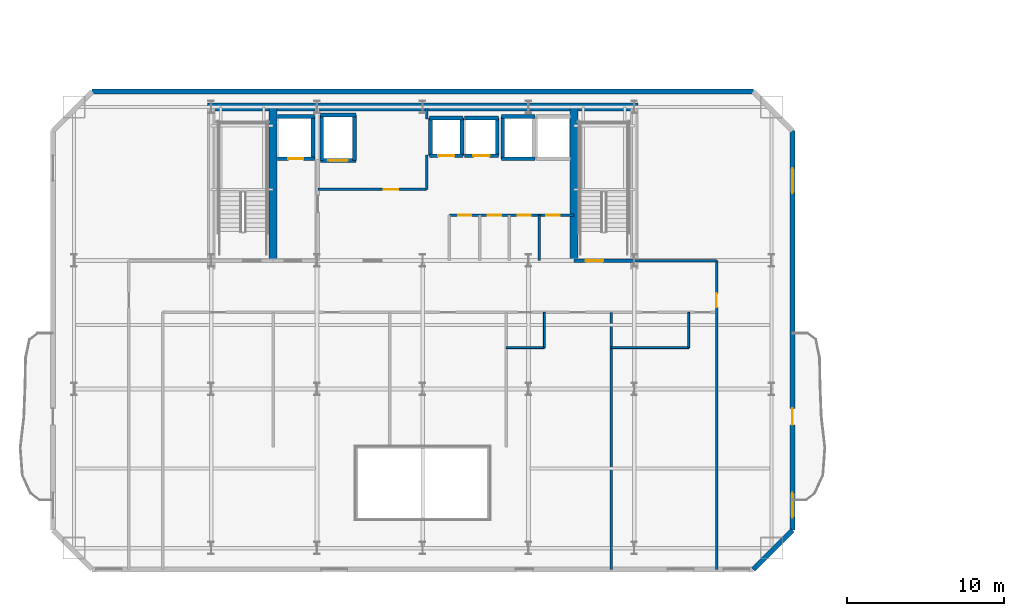
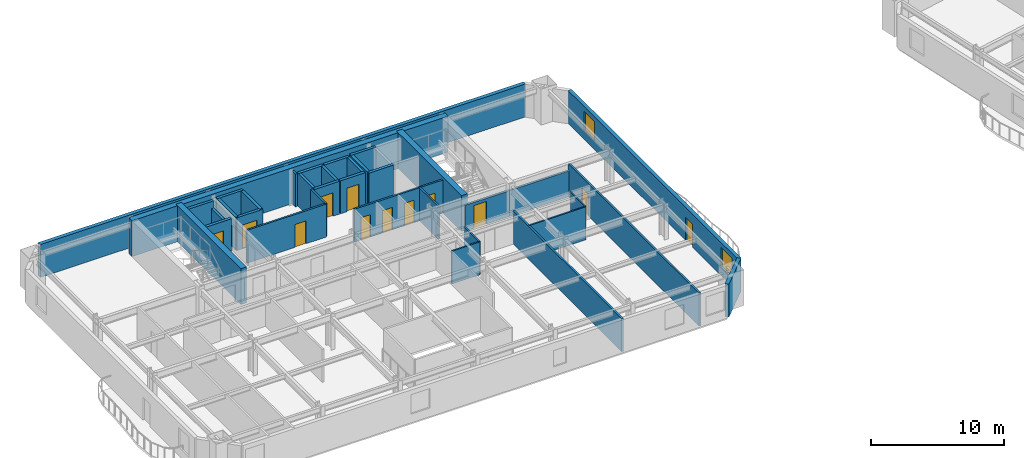
# One storey, part 6 of 13: 36 walls, 12 doors, 2 windows, 14 openings.
"""IFC4 building model written with IfcOpenShell, lengths in metres."""

from ifc_helpers import new_model, si_unit, direction, frame, frame_2d, origin, place, context, subcontext, project, spatial, rectangle, extrude, material, layer, layer_set, type_object, element, fill, save


model = new_model("IFC4")

# Units and contexts
model_context = context("Model", 3, precision=1e-05, world=origin(), true_north=direction((0.0, 1.0)))
body_context = subcontext(model_context, "Body", "Model", "MODEL_VIEW")
ifc_project = project(units=[si_unit("LENGTHUNIT", "METRE"), si_unit("AREAUNIT", "SQUARE_METRE"), si_unit("VOLUMEUNIT", "CUBIC_METRE"), si_unit("PLANEANGLEUNIT", "RADIAN"), si_unit("MASSUNIT", "GRAM", prefix="KILO")], contexts=[model_context])

# Site, building, storey
site_placement = place(None, origin())
site = spatial("IfcSite", under=ifc_project, at=site_placement, CompositionType="ELEMENT")
building_placement = place(site_placement, origin())
building = spatial("IfcBuilding", under=site, at=building_placement, Name="Haevon Station Towers", CompositionType="ELEMENT")
storey_placement = place(building_placement, frame((0.0, 0.0, 96.60009765625)))
storey = spatial("IfcBuildingStorey", under=building, at=storey_placement, Name="L25", CompositionType="ELEMENT", Elevation=96.60009765625)

# Wall
ifc_material_1 = material(Name="Gypsum board on steel stud", Category="steel")
ifc_layer_1 = layer(ifc_material_1, 0.179931640625)
ifc_layer_set_1 = layer_set([ifc_layer_1], Name="Gypsum board on steel stud")
wall_type_1 = type_object("IfcWallType", Name="WL-ACU180", PredefinedType="PARTITIONING", material=ifc_layer_set_1)
wall_1_placement = place(storey_placement, frame((51.0, 38.199951171875, 0.0), z_axis=(0.0, 0.0, 1.0), x_axis=(1.0, 0.0, 0.0)))
element("IfcWall", 1, at=wall_1_placement, inside=storey, type_object=wall_type_1, Name="WL-T1PT-L25-03", PredefinedType="PARTITIONING", context=body_context, shape_type="SweptSolid", body=[
    extrude(rectangle(XDim=5.25, YDim=0.179931640625, at=frame_2d((2.625, 0.0))), origin(), (0.0, 0.0, 1.0), 2.3798828125),
])

# Wall, opening, door
ifc_layer_2 = layer(ifc_material_1, 0.199951171875)
ifc_layer_set_2 = layer_set([ifc_layer_2], Name="Gypsum board on steel stud")
wall_type_2 = type_object("IfcWallType", Name="WL-COR200", PredefinedType="PARTITIONING", material=ifc_layer_set_2)
wall_2_placement = place(storey_placement, frame((47.14990234375, 38.199951171875, 0.0), z_axis=(0.0, 0.0, 1.0), x_axis=(1.0, 0.0, 0.0)))
wall_2 = element("IfcWall", 2, at=wall_2_placement, inside=storey, type_object=wall_type_2, Name="WL-ST-ST2-L25", PredefinedType="PARTITIONING", context=body_context, shape_type="SweptSolid", body=[
    extrude(rectangle(XDim=3.85009765625, YDim=0.199951171875, at=frame_2d((1.925048828125, 0.0))), origin(), (0.0, 0.0, 1.0), 2.3798828125),
])
opening_1_placement = place(wall_2_placement, frame((0.75, 0.0, 0.0)))
opening_1 = element("IfcOpeningElement", 3, at=opening_1_placement, cuts=wall_2, Name="Opening DR-ST-ST2-L25", PredefinedType="OPENING", context=body_context, shape_type="SweptSolid", body=[
    extrude(rectangle(XDim=1.1201171875, YDim=2.10009765625, at=frame_2d((0.56005859375, 1.050048828125))), frame((0.0, 0.10986328125, 0.0), z_axis=(0.0, -1.0, 0.0), x_axis=(1.0, 0.0, 0.0)), (0.0, 0.0, 1.0), 0.219970703125),
])
ifc_material_2 = material(Name="Engineered oak timber", Category="wood")
door_type_1 = type_object("IfcDoorType", Name="DR-ST-1120", OperationType="NOTDEFINED", PredefinedType="DOOR", material=ifc_material_2)
door_1_placement = place(opening_1_placement, origin())
door_1 = element("IfcDoor", 4, at=door_1_placement, inside=storey, type_object=door_type_1, Name="L25 Escape Stair ST2 Fire Door", OperationType="SINGLE_SWING_RIGHT", OverallHeight=2.10009765625, OverallWidth=1.1201171875, PredefinedType="DOOR", context=body_context, shape_type="SweptSolid", body=[
    extrude(rectangle(XDim=1.1201171875, YDim=2.10009765625, at=frame_2d((0.56005859375, 1.050048828125))), frame((0.0, 0.02490234375, 0.0), z_axis=(0.0, -1.0, 0.0), x_axis=(1.0, 0.0, 0.0)), (0.0, 0.0, 1.0), 0.050048828125),
])
fill(opening_1, door_1)

# Walls
ifc_material_3 = material(Name="Concrete C60/75", Category="concrete")
ifc_layer_3 = layer(ifc_material_3, 0.5)
ifc_layer_set_3 = layer_set([ifc_layer_3], Name="Concrete C60/75")
wall_type_3 = type_object("IfcWallType", Name="WL-CR500", PredefinedType="SHEAR", material=ifc_layer_set_3)
wall_3_placement = place(storey_placement, frame((23.75, 48.0, 0.0), z_axis=(0.0, 0.0, 1.0), x_axis=(1.0, 0.0, 0.0)))
element("IfcWall", 5, at=wall_3_placement, inside=storey, type_object=wall_type_3, Name="WL-T1CR-L25-N", PredefinedType="SHEAR", context=body_context, shape_type="SweptSolid", body=[
    extrude(rectangle(XDim=27.5, YDim=0.5, at=frame_2d((13.75, 0.0))), origin(), (0.0, 0.0, 1.0), 3.2998046875),
])
for number, where, z_axis, x_axis, name in (
    (6, (27.949951171875, 38.199951171875, 0.0), (0.0, 0.0, 1.0), (0.0, 1.0, 0.0), "WL-T1CR-L25-M1"),
    (7, (47.14990234375, 38.199951171875, 0.0), (0.0, 0.0, 1.0), (0.0, 1.0, 0.0), "WL-T1CR-L25-M2"),
):
    element("IfcWall", number, at=place(storey_placement, frame(where, z_axis=z_axis, x_axis=x_axis)), inside=storey, type_object=wall_type_3, Name=name, PredefinedType="SHEAR", context=body_context, shape_type="SweptSolid", body=[
        extrude(rectangle(XDim=9.800048828125, YDim=0.5, at=frame_2d((4.89990234375, 0.0))), origin(), (0.0, 0.0, 1.0), 3.2998046875),
    ])
ifc_material_4 = material(Name="Precast concrete C45/55", Category="concrete")
ifc_layer_4 = layer(ifc_material_4, 0.320068359375)
ifc_layer_set_4 = layer_set([ifc_layer_4], Name="Precast concrete C45/55")
wall_type_4 = type_object("IfcWallType", Name="WL-EXT-PIER320", PredefinedType="SOLIDWALL", material=ifc_layer_set_4)
wall_4_placement = place(storey_placement, frame((16.39990234375, 49.0, 0.0), z_axis=(0.0, 0.0, 1.0), x_axis=(1.0, 0.0, 0.0)))
element("IfcWall", 8, at=wall_4_placement, inside=storey, type_object=wall_type_4, Name="WL-T1-L25-N", PredefinedType="SOLIDWALL", context=body_context, shape_type="SweptSolid", body=[
    extrude(rectangle(XDim=42.2001953125, YDim=0.320068359375, at=frame_2d((21.10009765625, 0.0))), origin(), (0.0, 0.0, 1.0), 3.02978515625),
])

# Wall, openings, door, windows
wall_5_placement = place(storey_placement, frame((61.10009765625, 46.5, 0.0), z_axis=(0.0, 0.0, 1.0), x_axis=(0.0, -1.0, 0.0)))
wall_5 = element("IfcWall", 9, at=wall_5_placement, inside=storey, type_object=wall_type_4, Name="WL-T1-L25-E", PredefinedType="SOLIDWALL", context=body_context, shape_type="SweptSolid", body=[
    extrude(rectangle(XDim=25.5, YDim=0.320068359375, at=frame_2d((12.75, 0.0))), origin(), (0.0, 0.0, 1.0), 3.02978515625),
])
opening_2_placement = place(wall_5_placement, frame((17.72509765625, 0.0, 0.0)))
opening_2 = element("IfcOpeningElement", 10, at=opening_2_placement, cuts=wall_5, Name="Opening DR-T1-SCAL-L25-E", PredefinedType="OPENING", context=body_context, shape_type="SweptSolid", body=[
    extrude(rectangle(XDim=1.050048828125, YDim=2.10009765625, at=frame_2d((0.52490234375, 1.050048828125))), frame((0.0, 0.169921875, 0.0), z_axis=(0.0, -1.0, 0.0), x_axis=(1.0, 0.0, 0.0)), (0.0, 0.0, 1.0), 0.340087890625),
])
opening_3_placement = place(wall_5_placement, frame((2.392822265625, 0.0, 0.800048828125)))
opening_3 = element("IfcOpeningElement", 11, at=opening_3_placement, cuts=wall_5, Name="Opening WN-END160", PredefinedType="OPENING", context=body_context, shape_type="SweptSolid", body=[
    extrude(rectangle(XDim=1.60009765625, YDim=1.800048828125, at=frame_2d((0.800048828125, 0.89990234375))), frame((0.0, 0.169921875, 0.0), z_axis=(0.0, -1.0, 0.0), x_axis=(1.0, 0.0, 0.0)), (0.0, 0.0, 1.0), 0.340087890625),
])
opening_4_placement = place(wall_5_placement, frame((23.10009765625, 0.0, 0.800048828125)))
opening_4 = element("IfcOpeningElement", 12, at=opening_4_placement, cuts=wall_5, Name="Opening WN-END160", PredefinedType="OPENING", context=body_context, shape_type="SweptSolid", body=[
    extrude(rectangle(XDim=1.60009765625, YDim=1.800048828125, at=frame_2d((0.800048828125, 0.89990234375))), frame((0.0, 0.169921875, 0.0), z_axis=(0.0, -1.0, 0.0), x_axis=(1.0, 0.0, 0.0)), (0.0, 0.0, 1.0), 0.340087890625),
])
ifc_material_5 = material(Name="Thermally broken anodised aluminium and laminated safety glass", Category="aluminium")
door_type_2 = type_object("IfcDoorType", Name="DR-BALC-1050", OperationType="NOTDEFINED", PredefinedType="DOOR", material=ifc_material_5)
door_2_placement = place(opening_2_placement, origin())
door_2 = element("IfcDoor", 13, at=door_2_placement, inside=storey, type_object=door_type_2, Name="Tower 1 L25 East Scalloped Balcony Door", OperationType="SINGLE_SWING_RIGHT", OverallHeight=2.10009765625, OverallWidth=1.050048828125, PredefinedType="DOOR", context=body_context, shape_type="SweptSolid", body=[
    extrude(rectangle(XDim=1.050048828125, YDim=2.10009765625, at=frame_2d((0.52490234375, 1.050048828125))), frame((0.0, 0.02490234375, 0.0), z_axis=(0.0, -1.0, 0.0), x_axis=(1.0, 0.0, 0.0)), (0.0, 0.0, 1.0), 0.050048828125),
])
fill(opening_2, door_2)
ifc_material_6 = material(Name="Low-E triple glazing in thermally broken aluminium", Category="aluminium")
window_type = type_object("IfcWindowType", Name="WN-END160", PartitioningType="SINGLE_PANEL", PredefinedType="WINDOW", material=ifc_material_6)
window_1_placement = place(opening_3_placement, origin())
window_1 = element("IfcWindow", 14, at=window_1_placement, inside=storey, type_object=window_type, Name="WN-T1-L25-E01", OverallHeight=1.800048828125, OverallWidth=1.60009765625, PartitioningType="SINGLE_PANEL", PredefinedType="WINDOW", context=body_context, shape_type="SweptSolid", body=[
    extrude(rectangle(XDim=1.60009765625, YDim=1.800048828125, at=frame_2d((0.800048828125, 0.89990234375))), frame((0.0, 0.030029296875, 0.0), z_axis=(0.0, -1.0, 0.0), x_axis=(1.0, 0.0, 0.0)), (0.0, 0.0, 1.0), 0.06005859375),
])
fill(opening_3, window_1)
window_2_placement = place(opening_4_placement, origin())
window_2 = element("IfcWindow", 15, at=window_2_placement, inside=storey, type_object=window_type, Name="WN-T1-L25-E02", OverallHeight=1.800048828125, OverallWidth=1.60009765625, PartitioningType="SINGLE_PANEL", PredefinedType="WINDOW", context=body_context, shape_type="SweptSolid", body=[
    extrude(rectangle(XDim=1.60009765625, YDim=1.800048828125, at=frame_2d((0.800048828125, 0.89990234375))), frame((0.0, 0.030029296875, 0.0), z_axis=(0.0, -1.0, 0.0), x_axis=(1.0, 0.0, 0.0)), (0.0, 0.0, 1.0), 0.06005859375),
])
fill(opening_4, window_2)

# Walls
wall_6_placement = place(storey_placement, frame((61.10009765625, 21.0, 0.0), z_axis=(0.0, 0.0, 1.0), x_axis=(-0.707106781187, -0.707106781187, 0.0)))
element("IfcWall", 16, at=wall_6_placement, inside=storey, type_object=wall_type_4, Name="WL-T1-L25-SEC", PredefinedType="SOLIDWALL", context=body_context, shape_type="SweptSolid", body=[
    extrude(rectangle(XDim=3.53564453125, YDim=0.320068359375, at=frame_2d((1.767822265625, 0.0))), origin(), (0.0, 0.0, 1.0), 3.02978515625),
])
ifc_layer_5 = layer(ifc_material_1, 0.125)
ifc_layer_set_5 = layer_set([ifc_layer_5], Name="Gypsum board on steel stud")
wall_type_5 = type_object("IfcWallType", Name="WL-PRT125", PredefinedType="PARTITIONING", material=ifc_layer_set_5)
wall_7_placement = place(storey_placement, frame((42.81689453125, 32.64990234375, 0.0), z_axis=(0.0, 0.0, 1.0), x_axis=(1.0, 0.0, 0.0)))
element("IfcWall", 17, at=wall_7_placement, inside=storey, type_object=wall_type_5, Name="WL-T1PT-L25-15", PredefinedType="PARTITIONING", context=body_context, shape_type="SweptSolid", body=[
    extrude(rectangle(XDim=2.4501953125, YDim=0.125, at=frame_2d((1.22509765625, 0.0))), origin(), (0.0, 0.0, 1.0), 3.02978515625),
])
wall_8_placement = place(storey_placement, frame((45.26708984375, 32.64990234375, 0.0), z_axis=(0.0, 0.0, 1.0), x_axis=(0.0, 1.0, 0.0)))
element("IfcWall", 18, at=wall_8_placement, inside=storey, type_object=wall_type_5, Name="WL-T1PT-L25-16", PredefinedType="PARTITIONING", context=body_context, shape_type="SweptSolid", body=[
    extrude(rectangle(XDim=2.25, YDim=0.125, at=frame_2d((1.125, 0.0))), origin(), (0.0, 0.0, 1.0), 3.02978515625),
])
wall_9_placement = place(storey_placement, frame((49.533447265625, 32.64990234375, 0.0), z_axis=(0.0, 0.0, 1.0), x_axis=(1.0, 0.0, 0.0)))
element("IfcWall", 19, at=wall_9_placement, inside=storey, type_object=wall_type_5, Name="WL-T1PT-L25-18", PredefinedType="PARTITIONING", context=body_context, shape_type="SweptSolid", body=[
    extrude(rectangle(XDim=4.9365234375, YDim=0.125, at=frame_2d((2.46826171875, 0.0))), origin(), (0.0, 0.0, 1.0), 3.02978515625),
])
wall_10_placement = place(storey_placement, frame((54.469970703125, 32.64990234375, 0.0), z_axis=(0.0, 0.0, 1.0), x_axis=(0.0, 1.0, 0.0)))
element("IfcWall", 20, at=wall_10_placement, inside=storey, type_object=wall_type_5, Name="WL-T1PT-L25-19", PredefinedType="PARTITIONING", context=body_context, shape_type="SweptSolid", body=[
    extrude(rectangle(XDim=2.25, YDim=0.125, at=frame_2d((1.125, 0.0))), origin(), (0.0, 0.0, 1.0), 3.02978515625),
])

# Wall, opening, door
ifc_layer_6 = layer(ifc_material_1, 0.159912109375)
ifc_layer_set_6 = layer_set([ifc_layer_6], Name="Gypsum board on steel stud")
wall_type_6 = type_object("IfcWallType", Name="WL-PRT160", PredefinedType="PARTITIONING", material=ifc_layer_set_6)
wall_11_placement = place(storey_placement, frame((30.800048828125, 42.75, 0.0), z_axis=(0.0, 0.0, 1.0), x_axis=(1.0, 0.0, 0.0)))
wall_11 = element("IfcWall", 21, at=wall_11_placement, inside=storey, type_object=wall_type_6, Name="WL-T1CW-L25-01", PredefinedType="PARTITIONING", context=body_context, shape_type="SweptSolid", body=[
    extrude(rectangle(XDim=6.949951171875, YDim=0.159912109375, at=frame_2d((3.47509765625, 0.0))), origin(), (0.0, 0.0, 1.0), 3.02978515625),
])
opening_5_placement = place(wall_11_placement, frame((4.199951171875, 0.0, 0.0)))
opening_5 = element("IfcOpeningElement", 22, at=opening_5_placement, cuts=wall_11, Name="Opening DR-WL-T1CW-L25-01-1", PredefinedType="OPENING", context=body_context, shape_type="SweptSolid", body=[
    extrude(rectangle(XDim=0.949951171875, YDim=2.10009765625, at=frame_2d((0.47509765625, 1.050048828125))), frame((0.0, 0.08984375, 0.0), z_axis=(0.0, -1.0, 0.0), x_axis=(1.0, 0.0, 0.0)), (0.0, 0.0, 1.0), 0.179931640625),
])
door_type_3 = type_object("IfcDoorType", Name="DR-FD60-950", OperationType="NOTDEFINED", PredefinedType="DOOR", material=ifc_material_2)
door_3_placement = place(opening_5_placement, origin())
door_3 = element("IfcDoor", 23, at=door_3_placement, inside=storey, type_object=door_type_3, Name="L25 Tower 1 Core Room Door 1-1", OperationType="SINGLE_SWING_RIGHT", OverallHeight=2.10009765625, OverallWidth=0.949951171875, PredefinedType="DOOR", context=body_context, shape_type="SweptSolid", body=[
    extrude(rectangle(XDim=0.949951171875, YDim=2.10009765625, at=frame_2d((0.47509765625, 1.050048828125))), frame((0.0, 0.02490234375, 0.0), z_axis=(0.0, -1.0, 0.0), x_axis=(1.0, 0.0, 0.0)), (0.0, 0.0, 1.0), 0.050048828125),
])
fill(opening_5, door_3)

# Walls
wall_12_placement = place(storey_placement, frame((37.75, 42.75, 0.0), z_axis=(0.0, 0.0, 1.0), x_axis=(0.0, 1.0, 0.0)))
element("IfcWall", 24, at=wall_12_placement, inside=storey, type_object=wall_type_6, Name="WL-T1CW-L25-02", PredefinedType="PARTITIONING", context=body_context, shape_type="SweptSolid", body=[
    extrude(rectangle(XDim=2.199951171875, YDim=0.159912109375, at=frame_2d((1.10009765625, 0.0))), origin(), (0.0, 0.0, 1.0), 3.02978515625),
])
wall_13_placement = place(storey_placement, frame((37.75, 47.25, 0.0), z_axis=(0.0, 0.0, 1.0), x_axis=(0.0, 1.0, 0.0)))
element("IfcWall", 25, at=wall_13_placement, inside=storey, type_object=wall_type_6, Name="WL-T1CW-L25-03", PredefinedType="PARTITIONING", context=body_context, shape_type="SweptSolid", body=[
    extrude(rectangle(XDim=0.64990234375, YDim=0.159912109375, at=frame_2d((0.324951171875, 0.0))), origin(), (0.0, 0.0, 1.0), 3.02978515625),
])
wall_14_placement = place(storey_placement, frame((44.929931640625, 38.199951171875, 0.0), z_axis=(0.0, 0.0, 1.0), x_axis=(0.0, 1.0, 0.0)))
element("IfcWall", 26, at=wall_14_placement, inside=storey, type_object=wall_type_6, Name="WL-T1CW-L25-07", PredefinedType="PARTITIONING", context=body_context, shape_type="SweptSolid", body=[
    extrude(rectangle(XDim=2.900146484375, YDim=0.159912109375, at=frame_2d((1.4501953125, 0.0))), origin(), (0.0, 0.0, 1.0), 3.02978515625),
])

# Wall, openings, doors
wall_15_placement = place(storey_placement, frame((39.199951171875, 41.10009765625, 0.0), z_axis=(0.0, 0.0, 1.0), x_axis=(1.0, 0.0, 0.0)))
wall_15 = element("IfcWall", 27, at=wall_15_placement, inside=storey, type_object=wall_type_6, Name="WL-T1CW-L25-08", PredefinedType="PARTITIONING", context=body_context, shape_type="SweptSolid", body=[
    extrude(rectangle(XDim=7.949951171875, YDim=0.159912109375, at=frame_2d((3.97509765625, 0.0))), origin(), (0.0, 0.0, 1.0), 3.02978515625),
])
opening_6_placement = place(wall_15_placement, frame((0.56005859375, 0.0, 0.0)))
opening_6 = element("IfcOpeningElement", 28, at=opening_6_placement, cuts=wall_15, Name="Opening DR-WL-T1CW-L25-08-1", PredefinedType="OPENING", context=body_context, shape_type="SweptSolid", body=[
    extrude(rectangle(XDim=0.85009765625, YDim=2.050048828125, at=frame_2d((0.425048828125, 1.02490234375))), frame((0.0, 0.08984375, 0.0), z_axis=(0.0, -1.0, 0.0), x_axis=(1.0, 0.0, 0.0)), (0.0, 0.0, 1.0), 0.179931640625),
])
opening_7_placement = place(wall_15_placement, frame((2.455078125, 0.0, 0.0)))
opening_7 = element("IfcOpeningElement", 29, at=opening_7_placement, cuts=wall_15, Name="Opening DR-WL-T1CW-L25-08-2", PredefinedType="OPENING", context=body_context, shape_type="SweptSolid", body=[
    extrude(rectangle(XDim=0.85009765625, YDim=2.050048828125, at=frame_2d((0.425048828125, 1.02490234375))), frame((0.0, 0.08984375, 0.0), z_axis=(0.0, -1.0, 0.0), x_axis=(1.0, 0.0, 0.0)), (0.0, 0.0, 1.0), 0.179931640625),
])
opening_8_placement = place(wall_15_placement, frame((4.35498046875, 0.0, 0.0)))
opening_8 = element("IfcOpeningElement", 30, at=opening_8_placement, cuts=wall_15, Name="Opening DR-WL-T1CW-L25-08-3", PredefinedType="OPENING", context=body_context, shape_type="SweptSolid", body=[
    extrude(rectangle(XDim=0.85009765625, YDim=2.050048828125, at=frame_2d((0.425048828125, 1.02490234375))), frame((0.0, 0.08984375, 0.0), z_axis=(0.0, -1.0, 0.0), x_axis=(1.0, 0.0, 0.0)), (0.0, 0.0, 1.0), 0.179931640625),
])
opening_9_placement = place(wall_15_placement, frame((6.179931640625, 0.0, 0.0)))
opening_9 = element("IfcOpeningElement", 31, at=opening_9_placement, cuts=wall_15, Name="Opening DR-WL-T1CW-L25-08-4", PredefinedType="OPENING", context=body_context, shape_type="SweptSolid", body=[
    extrude(rectangle(XDim=0.85009765625, YDim=2.050048828125, at=frame_2d((0.425048828125, 1.02490234375))), frame((0.0, 0.08984375, 0.0), z_axis=(0.0, -1.0, 0.0), x_axis=(1.0, 0.0, 0.0)), (0.0, 0.0, 1.0), 0.179931640625),
])
door_type_4 = type_object("IfcDoorType", Name="DR-FD30-850", OperationType="NOTDEFINED", PredefinedType="DOOR", material=ifc_material_2)
door_4_placement = place(opening_6_placement, origin())
door_4 = element("IfcDoor", 32, at=door_4_placement, inside=storey, type_object=door_type_4, Name="L25 Tower 1 Core Room Door 8-1", OperationType="SINGLE_SWING_LEFT", OverallHeight=2.050048828125, OverallWidth=0.85009765625, PredefinedType="DOOR", context=body_context, shape_type="SweptSolid", body=[
    extrude(rectangle(XDim=0.85009765625, YDim=2.050048828125, at=frame_2d((0.425048828125, 1.02490234375))), frame((0.0, 0.02490234375, 0.0), z_axis=(0.0, -1.0, 0.0), x_axis=(1.0, 0.0, 0.0)), (0.0, 0.0, 1.0), 0.050048828125),
])
fill(opening_6, door_4)
door_5_placement = place(opening_7_placement, origin())
door_5 = element("IfcDoor", 33, at=door_5_placement, inside=storey, type_object=door_type_4, Name="L25 Tower 1 Core Room Door 8-2", OperationType="SINGLE_SWING_RIGHT", OverallHeight=2.050048828125, OverallWidth=0.85009765625, PredefinedType="DOOR", context=body_context, shape_type="SweptSolid", body=[
    extrude(rectangle(XDim=0.85009765625, YDim=2.050048828125, at=frame_2d((0.425048828125, 1.02490234375))), frame((0.0, 0.02490234375, 0.0), z_axis=(0.0, -1.0, 0.0), x_axis=(1.0, 0.0, 0.0)), (0.0, 0.0, 1.0), 0.050048828125),
])
fill(opening_7, door_5)
door_6_placement = place(opening_8_placement, origin())
door_6 = element("IfcDoor", 34, at=door_6_placement, inside=storey, type_object=door_type_4, Name="L25 Tower 1 Core Room Door 8-3", OperationType="SINGLE_SWING_LEFT", OverallHeight=2.050048828125, OverallWidth=0.85009765625, PredefinedType="DOOR", context=body_context, shape_type="SweptSolid", body=[
    extrude(rectangle(XDim=0.85009765625, YDim=2.050048828125, at=frame_2d((0.425048828125, 1.02490234375))), frame((0.0, 0.02490234375, 0.0), z_axis=(0.0, -1.0, 0.0), x_axis=(1.0, 0.0, 0.0)), (0.0, 0.0, 1.0), 0.050048828125),
])
fill(opening_8, door_6)
door_7_placement = place(opening_9_placement, origin())
door_7 = element("IfcDoor", 35, at=door_7_placement, inside=storey, type_object=door_type_4, Name="L25 Tower 1 Core Room Door 8-4", OperationType="SINGLE_SWING_RIGHT", OverallHeight=2.050048828125, OverallWidth=0.85009765625, PredefinedType="DOOR", context=body_context, shape_type="SweptSolid", body=[
    extrude(rectangle(XDim=0.85009765625, YDim=2.050048828125, at=frame_2d((0.425048828125, 1.02490234375))), frame((0.0, 0.02490234375, 0.0), z_axis=(0.0, -1.0, 0.0), x_axis=(1.0, 0.0, 0.0)), (0.0, 0.0, 1.0), 0.050048828125),
])
fill(opening_9, door_7)

# Wall, opening, door
wall_16_placement = place(storey_placement, frame((56.25, 18.5, 0.0), z_axis=(0.0, 0.0, 1.0), x_axis=(0.0, 1.0, 0.0)))
wall_16 = element("IfcWall", 36, at=wall_16_placement, inside=storey, type_object=wall_type_6, Name="WL-T1PT-L25-05", PredefinedType="PARTITIONING", context=body_context, shape_type="SweptSolid", body=[
    extrude(rectangle(XDim=19.699951171875, YDim=0.159912109375, at=frame_2d((9.85009765625, 0.0))), origin(), (0.0, 0.0, 1.0), 3.02978515625),
])
opening_10_placement = place(wall_16_placement, frame((16.719970703125, 0.0, 0.0)))
opening_10 = element("IfcOpeningElement", 37, at=opening_10_placement, cuts=wall_16, Name="Opening DR-WL-T1PT-L25-05-01", PredefinedType="OPENING", context=body_context, shape_type="SweptSolid", body=[
    extrude(rectangle(XDim=0.89990234375, YDim=2.050048828125, at=frame_2d((0.449951171875, 1.02490234375))), frame((0.0, 0.08984375, 0.0), z_axis=(0.0, -1.0, 0.0), x_axis=(1.0, 0.0, 0.0)), (0.0, 0.0, 1.0), 0.179931640625),
])
door_type_5 = type_object("IfcDoorType", Name="DR-INT-900", OperationType="NOTDEFINED", PredefinedType="DOOR", material=ifc_material_2)
door_8_placement = place(opening_10_placement, origin())
door_8 = element("IfcDoor", 38, at=door_8_placement, inside=storey, type_object=door_type_5, Name="L25 Tower 1 Room Door 5-1", OperationType="SINGLE_SWING_RIGHT", OverallHeight=2.050048828125, OverallWidth=0.89990234375, PredefinedType="DOOR", context=body_context, shape_type="SweptSolid", body=[
    extrude(rectangle(XDim=0.89990234375, YDim=2.050048828125, at=frame_2d((0.449951171875, 1.02490234375))), frame((0.0, 0.02490234375, 0.0), z_axis=(0.0, -1.0, 0.0), x_axis=(1.0, 0.0, 0.0)), (0.0, 0.0, 1.0), 0.050048828125),
])
fill(opening_10, door_8)

# Wall
wall_17_placement = place(storey_placement, frame((49.533447265625, 18.5, 0.0), z_axis=(0.0, 0.0, 1.0), x_axis=(0.0, 1.0, 0.0)))
element("IfcWall", 39, at=wall_17_placement, inside=storey, type_object=wall_type_6, Name="WL-T1PT-L25-17", PredefinedType="PARTITIONING", context=body_context, shape_type="SweptSolid", body=[
    extrude(rectangle(XDim=16.39990234375, YDim=0.159912109375, at=frame_2d((8.199951171875, 0.0))), origin(), (0.0, 0.0, 1.0), 3.02978515625),
])

# Wall, opening, door
ifc_material_7 = material(Name="Concrete C40/50", Category="concrete")
ifc_layer_7 = layer(ifc_material_7, 0.239990234375)
ifc_layer_set_7 = layer_set([ifc_layer_7], Name="Concrete C40/50")
wall_type_7 = type_object("IfcWallType", Name="WL-SHF240", PredefinedType="PARTITIONING", material=ifc_layer_set_7)
wall_18_placement = place(storey_placement, frame((28.219970703125, 44.699951171875, 0.0), z_axis=(0.0, 0.0, 1.0), x_axis=(1.0, 0.0, 0.0)))
wall_18 = element("IfcWall", 40, at=wall_18_placement, inside=storey, type_object=wall_type_7, Name="WL-SHF-FL1-L25", PredefinedType="PARTITIONING", context=body_context, shape_type="SweptSolid", body=[
    extrude(rectangle(XDim=2.360107421875, YDim=0.239990234375, at=frame_2d((1.18017578125, 0.0))), origin(), (0.0, 0.0, 1.0), 3.02978515625),
])
opening_11_placement = place(wall_18_placement, frame((0.705078125, 0.0, 0.0)))
opening_11 = element("IfcOpeningElement", 41, at=opening_11_placement, cuts=wall_18, Name="Opening LD-FL1-L25", PredefinedType="OPENING", context=body_context, shape_type="SweptSolid", body=[
    extrude(rectangle(XDim=0.949951171875, YDim=2.14990234375, at=frame_2d((0.47509765625, 1.074951171875))), frame((0.0, 0.1298828125, 0.0), z_axis=(0.0, -1.0, 0.0), x_axis=(1.0, 0.0, 0.0)), (0.0, 0.0, 1.0), 0.260009765625),
])
ifc_material_8 = material(Name="Stainless steel and rated core", Category="steel")
door_type_6 = type_object("IfcDoorType", Name="LD-FL950", OperationType="SLIDING_TO_LEFT", PredefinedType="DOOR", material=ifc_material_8)
door_9_placement = place(opening_11_placement, origin())
door_9 = element("IfcDoor", 42, at=door_9_placement, inside=storey, type_object=door_type_6, Name="L25 Lift FL1 Sliding Landing Door", OperationType="SLIDING_TO_LEFT", OverallHeight=2.14990234375, OverallWidth=0.949951171875, PredefinedType="DOOR", context=body_context, shape_type="SweptSolid", body=[
    extrude(rectangle(XDim=0.949951171875, YDim=2.14990234375, at=frame_2d((0.47509765625, 1.074951171875))), frame((0.0, 0.02490234375, 0.0), z_axis=(0.0, -1.0, 0.0), x_axis=(1.0, 0.0, 0.0)), (0.0, 0.0, 1.0), 0.050048828125),
])
fill(opening_11, door_9)

# Walls
wall_19_placement = place(storey_placement, frame((28.219970703125, 47.39990234375, 0.0), z_axis=(0.0, 0.0, 1.0), x_axis=(1.0, 0.0, 0.0)))
element("IfcWall", 43, at=wall_19_placement, inside=storey, type_object=wall_type_7, Name="WL-SHF-FL1-L25-N", PredefinedType="PARTITIONING", context=body_context, shape_type="SweptSolid", body=[
    extrude(rectangle(XDim=2.360107421875, YDim=0.239990234375, at=frame_2d((1.18017578125, 0.0))), origin(), (0.0, 0.0, 1.0), 3.02978515625),
])
wall_20_placement = place(storey_placement, frame((30.5, 44.699951171875, 0.0), z_axis=(0.0, 0.0, 1.0), x_axis=(0.0, 1.0, 0.0)))
element("IfcWall", 44, at=wall_20_placement, inside=storey, type_object=wall_type_7, Name="WL-SHF-FL1-L25-E", PredefinedType="PARTITIONING", context=body_context, shape_type="SweptSolid", body=[
    extrude(rectangle(XDim=2.699951171875, YDim=0.239990234375, at=frame_2d((1.35009765625, 0.0))), origin(), (0.0, 0.0, 1.0), 2.3798828125),
])

# Wall, opening, door
wall_21_placement = place(storey_placement, frame((30.969970703125, 44.60009765625, 0.0), z_axis=(0.0, 0.0, 1.0), x_axis=(1.0, 0.0, 0.0)))
wall_21 = element("IfcWall", 45, at=wall_21_placement, inside=storey, type_object=wall_type_7, Name="WL-SHF-SL1-L25", PredefinedType="PARTITIONING", context=body_context, shape_type="SweptSolid", body=[
    extrude(rectangle(XDim=2.260009765625, YDim=0.239990234375, at=frame_2d((1.1298828125, 0.0))), origin(), (0.0, 0.0, 1.0), 3.02978515625),
])
opening_12_placement = place(wall_21_placement, frame((0.5048828125, 0.0, 0.0)))
opening_12 = element("IfcOpeningElement", 46, at=opening_12_placement, cuts=wall_21, Name="Opening LD-SL1-L25", PredefinedType="OPENING", context=body_context, shape_type="SweptSolid", body=[
    extrude(rectangle(XDim=1.25, YDim=2.199951171875, at=frame_2d((0.625, 1.10009765625))), frame((0.0, 0.1298828125, 0.0), z_axis=(0.0, -1.0, 0.0), x_axis=(1.0, 0.0, 0.0)), (0.0, 0.0, 1.0), 0.260009765625),
])
door_type_7 = type_object("IfcDoorType", Name="LD-SL1250", OperationType="SLIDING_TO_LEFT", PredefinedType="DOOR", material=ifc_material_8)
door_10_placement = place(opening_12_placement, origin())
door_10 = element("IfcDoor", 47, at=door_10_placement, inside=storey, type_object=door_type_7, Name="L25 Lift SL1 Sliding Landing Door", OperationType="SLIDING_TO_LEFT", OverallHeight=2.199951171875, OverallWidth=1.25, PredefinedType="DOOR", context=body_context, shape_type="SweptSolid", body=[
    extrude(rectangle(XDim=1.25, YDim=2.199951171875, at=frame_2d((0.625, 1.10009765625))), frame((0.0, 0.02490234375, 0.0), z_axis=(0.0, -1.0, 0.0), x_axis=(1.0, 0.0, 0.0)), (0.0, 0.0, 1.0), 0.050048828125),
])
fill(opening_12, door_10)

# Walls
wall_22_placement = place(storey_placement, frame((30.969970703125, 47.5, 0.0), z_axis=(0.0, 0.0, 1.0), x_axis=(1.0, 0.0, 0.0)))
element("IfcWall", 48, at=wall_22_placement, inside=storey, type_object=wall_type_7, Name="WL-SHF-SL1-L25-N", PredefinedType="PARTITIONING", context=body_context, shape_type="SweptSolid", body=[
    extrude(rectangle(XDim=2.260009765625, YDim=0.239990234375, at=frame_2d((1.1298828125, 0.0))), origin(), (0.0, 0.0, 1.0), 3.02978515625),
])
for number, where, z_axis, x_axis, name in (
    (49, (31.050048828125, 44.60009765625, 0.0), (0.0, 0.0, 1.0), (0.0, 1.0, 0.0), "WL-SHF-SL1-L25-W"),
    (50, (33.14990234375, 44.60009765625, 0.0), (0.0, 0.0, 1.0), (0.0, 1.0, 0.0), "WL-SHF-SL1-L25-E"),
):
    element("IfcWall", number, at=place(storey_placement, frame(where, z_axis=z_axis, x_axis=x_axis)), inside=storey, type_object=wall_type_7, Name=name, PredefinedType="PARTITIONING", context=body_context, shape_type="SweptSolid", body=[
        extrude(rectangle(XDim=2.89990234375, YDim=0.239990234375, at=frame_2d((1.449951171875, 0.0))), origin(), (0.0, 0.0, 1.0), 3.02978515625),
    ])

# Wall, opening, door
wall_23_placement = place(storey_placement, frame((37.919921875, 44.89990234375, 0.0), z_axis=(0.0, 0.0, 1.0), x_axis=(1.0, 0.0, 0.0)))
wall_23 = element("IfcWall", 51, at=wall_23_placement, inside=storey, type_object=wall_type_7, Name="WL-SHF-PL3-L25", PredefinedType="PARTITIONING", context=body_context, shape_type="SweptSolid", body=[
    extrude(rectangle(XDim=2.16015625, YDim=0.239990234375, at=frame_2d((1.080078125, 0.0))), origin(), (0.0, 0.0, 1.0), 3.02978515625),
])
opening_13_placement = place(wall_23_placement, frame((0.554931640625, 0.0, 0.0)))
opening_13 = element("IfcOpeningElement", 52, at=opening_13_placement, cuts=wall_23, Name="Opening LD-PL3-L25", PredefinedType="OPENING", context=body_context, shape_type="SweptSolid", body=[
    extrude(rectangle(XDim=1.050048828125, YDim=2.14990234375, at=frame_2d((0.52490234375, 1.074951171875))), frame((0.0, 0.1298828125, 0.0), z_axis=(0.0, -1.0, 0.0), x_axis=(1.0, 0.0, 0.0)), (0.0, 0.0, 1.0), 0.260009765625),
])
door_type_8 = type_object("IfcDoorType", Name="LD-PL1050", OperationType="SLIDING_TO_LEFT", PredefinedType="DOOR", material=ifc_material_8)
door_11_placement = place(opening_13_placement, origin())
door_11 = element("IfcDoor", 53, at=door_11_placement, inside=storey, type_object=door_type_8, Name="L25 Lift PL3 Sliding Landing Door", OperationType="SLIDING_TO_LEFT", OverallHeight=2.14990234375, OverallWidth=1.050048828125, PredefinedType="DOOR", context=body_context, shape_type="SweptSolid", body=[
    extrude(rectangle(XDim=1.050048828125, YDim=2.14990234375, at=frame_2d((0.52490234375, 1.074951171875))), frame((0.0, 0.02490234375, 0.0), z_axis=(0.0, -1.0, 0.0), x_axis=(1.0, 0.0, 0.0)), (0.0, 0.0, 1.0), 0.050048828125),
])
fill(opening_13, door_11)

# Walls
wall_24_placement = place(storey_placement, frame((37.919921875, 47.300048828125, 0.0), z_axis=(0.0, 0.0, 1.0), x_axis=(1.0, 0.0, 0.0)))
element("IfcWall", 54, at=wall_24_placement, inside=storey, type_object=wall_type_7, Name="WL-SHF-PL3-L25-N", PredefinedType="PARTITIONING", context=body_context, shape_type="SweptSolid", body=[
    extrude(rectangle(XDim=2.16015625, YDim=0.239990234375, at=frame_2d((1.080078125, 0.0))), origin(), (0.0, 0.0, 1.0), 3.02978515625),
])
for number, where, z_axis, x_axis, name in (
    (55, (38.0, 44.89990234375, 0.0), (0.0, 0.0, 1.0), (0.0, 1.0, 0.0), "WL-SHF-PL3-L25-W"),
    (56, (40.0, 44.89990234375, 0.0), (0.0, 0.0, 1.0), (0.0, 1.0, 0.0), "WL-SHF-PL3-L25-E"),
):
    element("IfcWall", number, at=place(storey_placement, frame(where, z_axis=z_axis, x_axis=x_axis)), inside=storey, type_object=wall_type_7, Name=name, PredefinedType="PARTITIONING", context=body_context, shape_type="SweptSolid", body=[
        extrude(rectangle(XDim=2.400146484375, YDim=0.239990234375, at=frame_2d((1.2001953125, 0.0))), origin(), (0.0, 0.0, 1.0), 3.02978515625),
    ])

# Wall, opening, door
wall_25_placement = place(storey_placement, frame((40.169921875, 44.89990234375, 0.0), z_axis=(0.0, 0.0, 1.0), x_axis=(1.0, 0.0, 0.0)))
wall_25 = element("IfcWall", 57, at=wall_25_placement, inside=storey, type_object=wall_type_7, Name="WL-SHF-PL4-L25", PredefinedType="PARTITIONING", context=body_context, shape_type="SweptSolid", body=[
    extrude(rectangle(XDim=2.16015625, YDim=0.239990234375, at=frame_2d((1.080078125, 0.0))), origin(), (0.0, 0.0, 1.0), 3.02978515625),
])
opening_14_placement = place(wall_25_placement, frame((0.554931640625, 0.0, 0.0)))
opening_14 = element("IfcOpeningElement", 58, at=opening_14_placement, cuts=wall_25, Name="Opening LD-PL4-L25", PredefinedType="OPENING", context=body_context, shape_type="SweptSolid", body=[
    extrude(rectangle(XDim=1.050048828125, YDim=2.14990234375, at=frame_2d((0.52490234375, 1.074951171875))), frame((0.0, 0.1298828125, 0.0), z_axis=(0.0, -1.0, 0.0), x_axis=(1.0, 0.0, 0.0)), (0.0, 0.0, 1.0), 0.260009765625),
])
door_12_placement = place(opening_14_placement, origin())
door_12 = element("IfcDoor", 59, at=door_12_placement, inside=storey, type_object=door_type_8, Name="L25 Lift PL4 Sliding Landing Door", OperationType="SLIDING_TO_LEFT", OverallHeight=2.14990234375, OverallWidth=1.050048828125, PredefinedType="DOOR", context=body_context, shape_type="SweptSolid", body=[
    extrude(rectangle(XDim=1.050048828125, YDim=2.14990234375, at=frame_2d((0.52490234375, 1.074951171875))), frame((0.0, 0.02490234375, 0.0), z_axis=(0.0, -1.0, 0.0), x_axis=(1.0, 0.0, 0.0)), (0.0, 0.0, 1.0), 0.050048828125),
])
fill(opening_14, door_12)

# Walls
wall_26_placement = place(storey_placement, frame((40.169921875, 47.300048828125, 0.0), z_axis=(0.0, 0.0, 1.0), x_axis=(1.0, 0.0, 0.0)))
element("IfcWall", 60, at=wall_26_placement, inside=storey, type_object=wall_type_7, Name="WL-SHF-PL4-L25-N", PredefinedType="PARTITIONING", context=body_context, shape_type="SweptSolid", body=[
    extrude(rectangle(XDim=2.16015625, YDim=0.239990234375, at=frame_2d((1.080078125, 0.0))), origin(), (0.0, 0.0, 1.0), 3.02978515625),
])
wall_27_placement = place(storey_placement, frame((42.25, 44.89990234375, 0.0), z_axis=(0.0, 0.0, 1.0), x_axis=(0.0, 1.0, 0.0)))
element("IfcWall", 61, at=wall_27_placement, inside=storey, type_object=wall_type_7, Name="WL-SHF-PL4-L25-E", PredefinedType="PARTITIONING", context=body_context, shape_type="SweptSolid", body=[
    extrude(rectangle(XDim=2.400146484375, YDim=0.239990234375, at=frame_2d((1.2001953125, 0.0))), origin(), (0.0, 0.0, 1.0), 3.02978515625),
])
for number, where, z_axis, x_axis, name in (
    (62, (42.52001953125, 44.699951171875, 0.0), (0.0, 0.0, 1.0), (1.0, 0.0, 0.0), "WL-SHF-PL5-L25"),
    (63, (42.52001953125, 47.39990234375, 0.0), (0.0, 0.0, 1.0), (1.0, 0.0, 0.0), "WL-SHF-PL5-L25-N"),
):
    element("IfcWall", number, at=place(storey_placement, frame(where, z_axis=z_axis, x_axis=x_axis)), inside=storey, type_object=wall_type_7, Name=name, PredefinedType="PARTITIONING", context=body_context, shape_type="SweptSolid", body=[
        extrude(rectangle(XDim=2.159912109375, YDim=0.239990234375, at=frame_2d((1.080078125, 0.0))), origin(), (0.0, 0.0, 1.0), 3.02978515625),
    ])
wall_28_placement = place(storey_placement, frame((42.60009765625, 44.699951171875, 0.0), z_axis=(0.0, 0.0, 1.0), x_axis=(0.0, 1.0, 0.0)))
element("IfcWall", 64, at=wall_28_placement, inside=storey, type_object=wall_type_7, Name="WL-SHF-PL5-L25-W", PredefinedType="PARTITIONING", context=body_context, shape_type="SweptSolid", body=[
    extrude(rectangle(XDim=2.699951171875, YDim=0.239990234375, at=frame_2d((1.35009765625, 0.0))), origin(), (0.0, 0.0, 1.0), 3.02978515625),
])

save(model, "model.ifc")
